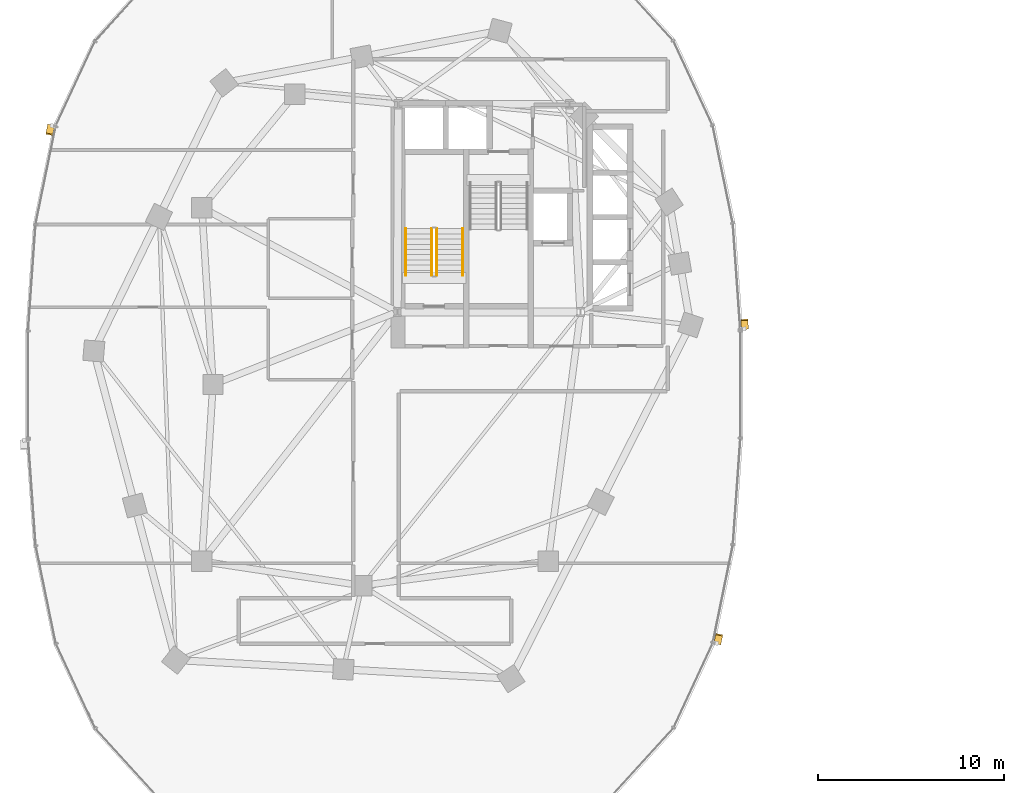
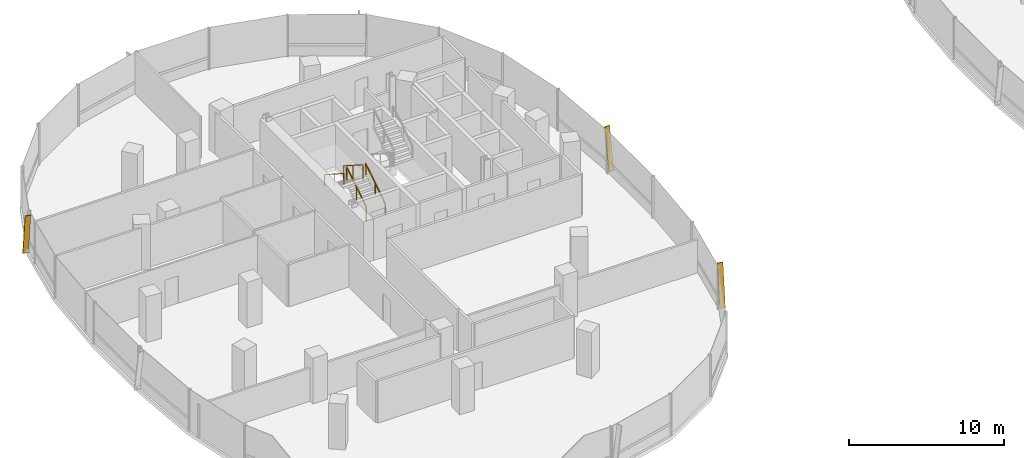
# One storey, part 18 of 21: 4 railings, 3 shading devices.
"""IFC4 building model written with IfcOpenShell, lengths in metres."""

from ifc_helpers import new_model, si_unit, direction, frame, origin, origin_2d, place, context, subcontext, project, spatial, rectangle, extrude, material, material_profile, profile_set, type_object, element, save


model = new_model("IFC4")

# Units and contexts
model_context = context("Model", 3, precision=1e-05, world=origin(), true_north=direction((0.0, 1.0)))
body_context = subcontext(model_context, "Body", "Model", "MODEL_VIEW")
ifc_project = project(units=[si_unit("LENGTHUNIT", "METRE"), si_unit("AREAUNIT", "SQUARE_METRE"), si_unit("VOLUMEUNIT", "CUBIC_METRE"), si_unit("PLANEANGLEUNIT", "RADIAN"), si_unit("MASSUNIT", "GRAM", prefix="KILO"), si_unit("THERMODYNAMICTEMPERATUREUNIT", "KELVIN"), si_unit("POWERUNIT", "WATT")], contexts=[model_context])

# Site, building, storey
site_placement = place(None, origin())
site = spatial("IfcSite", under=ifc_project, at=site_placement, CompositionType="ELEMENT")
building_placement = place(site_placement, origin())
building = spatial("IfcBuilding", under=site, at=building_placement, Name="Cundina Bronze Exchange", CompositionType="ELEMENT")
storey_placement = place(building_placement, frame((0.0, 0.0, 107.0)))
storey = spatial("IfcBuildingStorey", under=building, at=storey_placement, Name="L27", CompositionType="ELEMENT", Elevation=107.0)

# Railings
ifc_material_1 = material(Name="Steel ASTM A36 Painted", Category="steel")
railing_type_1 = type_object("IfcRailingType", Name="RLG-HND-900", PredefinedType="HANDRAIL", material=ifc_material_1)
railing_1_placement = place(storey_placement, frame((-27.7900390625, 5.85009765625, 0.179931640625)))
element("IfcRailing", 1, at=railing_1_placement, inside=storey, type_object=railing_type_1, Name="L27 ST-W1 stair handrail 1", PredefinedType="HANDRAIL", context=body_context, shape_type="SweptSolid", body=[
    extrude(rectangle(XDim=0.048095703125, YDim=0.048095703125, at=origin_2d()), frame((0.0, 0.0, 0.8759765625), z_axis=(0.0, 0.841162588446, 0.540782303519), x_axis=(-1.0, 0.0, 0.0)), (0.0, 0.0, 1.0), 2.995849609375),
    extrude(rectangle(XDim=0.0419921875, YDim=0.0419921875, at=origin_2d()), origin(), (0.0, 0.0, 1.0), 0.851806640625),
    extrude(rectangle(XDim=0.0419921875, YDim=0.0419921875, at=origin_2d()), frame((0.0, 1.260009765625, 0.81005859375)), (0.0, 0.0, 1.0), 0.851806640625),
    extrude(rectangle(XDim=0.0419921875, YDim=0.0419921875, at=origin_2d()), frame((0.0, 2.52001953125, 1.6201171875)), (0.0, 0.0, 1.0), 0.851806640625),
])
railing_2_placement = place(storey_placement, frame((-30.85009765625, 8.3701171875, 1.97998046875)))
element("IfcRailing", 2, at=railing_2_placement, inside=storey, type_object=railing_type_1, Name="L27 ST-W1 stair handrail 2", PredefinedType="HANDRAIL", context=body_context, shape_type="SweptSolid", body=[
    extrude(rectangle(XDim=0.048095703125, YDim=0.048095703125, at=origin_2d()), frame((0.0, 0.0, 0.8759765625), z_axis=(0.0, -0.841162588446, 0.540782303519), x_axis=(1.0, 0.0, 0.0)), (0.0, 0.0, 1.0), 2.995849609375),
    extrude(rectangle(XDim=0.0419921875, YDim=0.0419921875, at=origin_2d()), origin(), (0.0, 0.0, 1.0), 0.851806640625),
    extrude(rectangle(XDim=0.0419921875, YDim=0.0419921875, at=origin_2d()), frame((0.0, -1.260009765625, 0.81005859375)), (0.0, 0.0, 1.0), 0.851806640625),
    extrude(rectangle(XDim=0.0419921875, YDim=0.0419921875, at=origin_2d()), frame((0.0, -2.52001953125, 1.6201171875)), (0.0, 0.0, 1.0), 0.851806640625),
])
railing_type_2 = type_object("IfcRailingType", Name="RLG-STG-1100", PredefinedType="GUARDRAIL", material=ifc_material_1)
railing_3_placement = place(storey_placement, frame((-29.18994140625, 5.85009765625, 0.179931640625)))
element("IfcRailing", 3, at=railing_3_placement, inside=storey, type_object=railing_type_2, Name="L27 ST-W1 stair guard 1", PredefinedType="GUARDRAIL", context=body_context, shape_type="SweptSolid", body=[
    extrude(rectangle(XDim=0.048095703125, YDim=0.048095703125, at=origin_2d()), frame((0.0, 0.0, 1.076171875), z_axis=(0.0, 0.841162588446, 0.540782303519), x_axis=(-1.0, 0.0, 0.0)), (0.0, 0.0, 1.0), 2.995849609375),
    extrude(rectangle(XDim=0.0419921875, YDim=0.0419921875, at=origin_2d()), origin(), (0.0, 0.0, 1.0), 1.052001953125),
    extrude(rectangle(XDim=0.0419921875, YDim=0.0419921875, at=origin_2d()), frame((0.0, 1.260009765625, 0.81005859375)), (0.0, 0.0, 1.0), 1.052001953125),
    extrude(rectangle(XDim=0.0419921875, YDim=0.0419921875, at=origin_2d()), frame((0.0, 2.52001953125, 1.6201171875)), (0.0, 0.0, 1.0), 1.052001953125),
])
railing_4_placement = place(storey_placement, frame((-29.449951171875, 8.3701171875, 1.97998046875)))
element("IfcRailing", 4, at=railing_4_placement, inside=storey, type_object=railing_type_2, Name="L27 ST-W1 stair guard 3", PredefinedType="GUARDRAIL", context=body_context, shape_type="SweptSolid", body=[
    extrude(rectangle(XDim=0.048095703125, YDim=0.048095703125, at=origin_2d()), frame((0.0, 0.0, 1.076171875), z_axis=(0.0, -0.841162588446, 0.540782303519), x_axis=(1.0, 0.0, 0.0)), (0.0, 0.0, 1.0), 2.995849609375),
    extrude(rectangle(XDim=0.0419921875, YDim=0.0419921875, at=origin_2d()), origin(), (0.0, 0.0, 1.0), 1.052001953125),
    extrude(rectangle(XDim=0.0419921875, YDim=0.0419921875, at=origin_2d()), frame((0.0, -1.260009765625, 0.81005859375)), (0.0, 0.0, 1.0), 1.052001953125),
    extrude(rectangle(XDim=0.0419921875, YDim=0.0419921875, at=origin_2d()), frame((0.0, -2.52001953125, 1.6201171875)), (0.0, 0.0, 1.0), 1.052001953125),
])

# Shading devices
ifc_material_2 = material(Name="Anodised Bronze Aluminium 6063-T6", Category="aluminium")
ifc_material_profile = material_profile(ifc_material_2, rectangle(XDim=0.070068359375, YDim=0.3798828125, at=origin_2d()), Name="FIN70X380", Category="aluminium")
ifc_profile_set = profile_set([ifc_material_profile], Name="Anodised Bronze Aluminium 6063-T6")
shading_device_type = type_object("IfcShadingDeviceType", Name="SHD-FIN-BRZ380", PredefinedType="USERDEFINED", material=ifc_profile_set)
for number, where, z_axis, x_axis, name in (
    (5, (-12.6259765625, 2.993896484375, 0.02001953125), (-0.010224545828, 0.145292278041, 0.989335945271), (0.069450050635, -0.986895284755, 0.145651595925), "L27 Diagonal Bronze Solar Fin 1"),
    (6, (-49.89599609375, 13.911865234375, 0.02001953125), (-0.029413888538, -0.142698109128, 0.989329102378), (0.199728220342, 0.968958570224, 0.145698068578), "L27 Diagonal Bronze Solar Fin 5"),
    (7, (-14.10400390625, -13.911865234375, 0.02001953125), (0.029413888538, 0.142698109128, 0.989329102378), (-0.199728220342, -0.968958570224, 0.145698068578), "L27 Diagonal Bronze Solar Fin 5"),
):
    element("IfcShadingDevice", number, at=place(storey_placement, frame(where, z_axis=z_axis, x_axis=x_axis)), inside=storey, type_object=shading_device_type, Name=name, ObjectType="FIN", PredefinedType="USERDEFINED", context=body_context, shape_type="SweptSolid", body=[
        extrude(rectangle(XDim=0.070068359375, YDim=0.3798828125, at=origin_2d()), origin(), (0.0, 0.0, 1.0), 3.295166015625),
    ])

save(model, "model.ifc")
